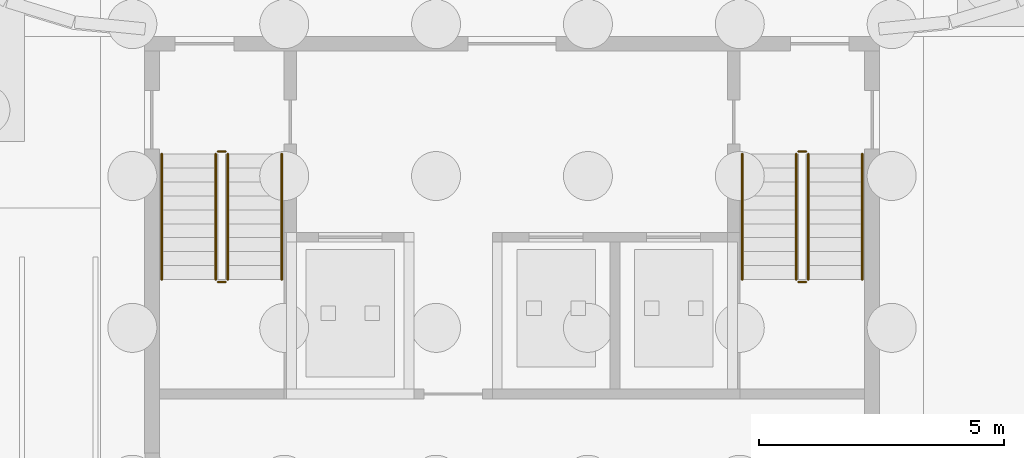
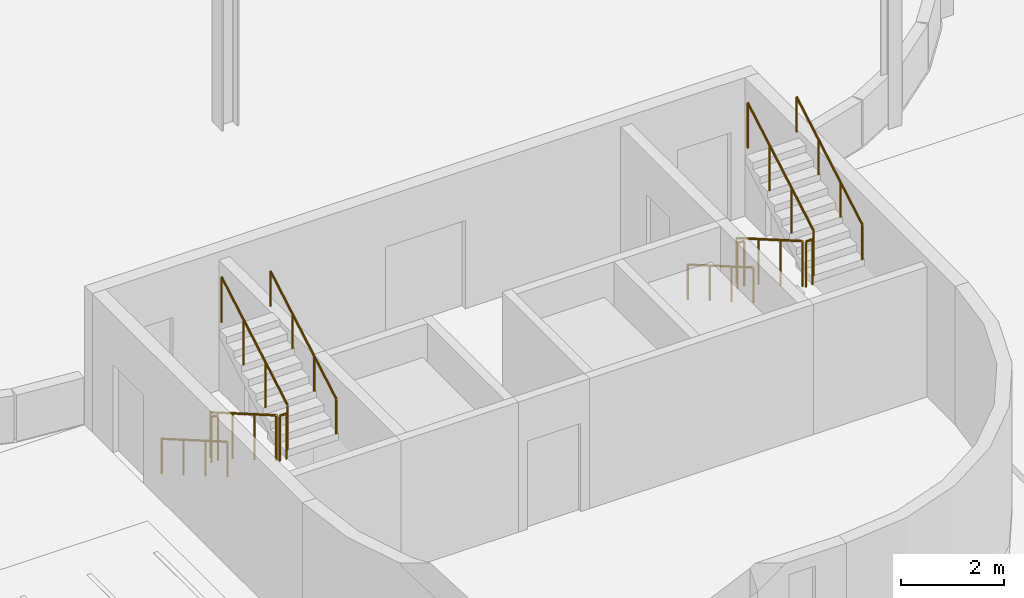
# One storey, part 120 of 130: 12 railings.
"""IFC4 building model written with IfcOpenShell, lengths in metres."""

from ifc_helpers import new_model, si_unit, direction, frame, origin, origin_2d, place, context, subcontext, project, spatial, circle, extrude, material, type_object, element, save


model = new_model("IFC4")

# Units and contexts
model_context = context("Model", 3, precision=1e-05, world=origin(), true_north=direction((0.0, 1.0)))
body_context = subcontext(model_context, "Body", "Model", "MODEL_VIEW")
ifc_project = project(units=[si_unit("LENGTHUNIT", "METRE"), si_unit("AREAUNIT", "SQUARE_METRE"), si_unit("VOLUMEUNIT", "CUBIC_METRE"), si_unit("PLANEANGLEUNIT", "RADIAN"), si_unit("MASSUNIT", "GRAM", prefix="KILO")], contexts=[model_context])

# Site, building, storey
site_placement = place(None, origin())
site = spatial("IfcSite", under=ifc_project, at=site_placement, CompositionType="ELEMENT")
building_placement = place(site_placement, origin())
building = spatial("IfcBuilding", under=site, at=building_placement, Name="Parallax Yard Mobility Hub", CompositionType="ELEMENT")
storey_placement = place(building_placement, origin())
storey = spatial("IfcBuildingStorey", under=building, at=storey_placement, Name="L00", CompositionType="ELEMENT", Elevation=0.0)

# Railings
ifc_material = material(Name="Steel ASTM A36", Category="steel")
railing_type_1 = type_object("IfcRailingType", Name="Stair guard 1100", PredefinedType="GUARDRAIL", material=ifc_material)
railing_1_placement = place(storey_placement, frame((215.800048828125, 20.10009765625, 0.1650390625)))
element("IfcRailing", 1, at=railing_1_placement, inside=storey, type_object=railing_type_1, Name="L00 ST9 stair guard 1", PredefinedType="GUARDRAIL", context=body_context, shape_type="SweptSolid", body=[
    extrude(circle(Radius=0.02392578125, at=origin_2d()), frame((0.0, 0.0, 1.076171875), z_axis=(0.0, -0.865461999751, 0.500974577186), x_axis=(1.0, 0.0, 0.0)), (0.0, 0.0, 1.0), 2.9638671875),
    extrude(circle(Radius=0.02099609375, at=origin_2d()), origin(), (0.0, 0.0, 1.0), 1.052001953125),
    extrude(circle(Radius=0.02099609375, at=origin_2d()), frame((0.0, -0.85498046875, 0.494873046875)), (0.0, 0.0, 1.0), 1.052001953125),
    extrude(circle(Radius=0.02099609375, at=origin_2d()), frame((0.0, -1.710205078125, 0.989990234375)), (0.0, 0.0, 1.0), 1.052001953125),
    extrude(circle(Radius=0.02099609375, at=origin_2d()), frame((0.0, -2.565185546875, 1.48486328125)), (0.0, 0.0, 1.0), 1.052001953125),
])
railing_2_placement = place(storey_placement, frame((215.85009765625, 17.485107421875, 1.64990234375)))
element("IfcRailing", 2, at=railing_2_placement, inside=storey, type_object=railing_type_1, Name="L00 ST9 stair guard 2", PredefinedType="GUARDRAIL", context=body_context, shape_type="SweptSolid", body=[
    extrude(circle(Radius=0.02392578125, at=origin_2d()), frame((0.0, 0.0, 1.076171875), z_axis=(1.0, 0.0, 0.0), x_axis=(0.0, 1.0, 0.0)), (0.0, 0.0, 1.0), 0.14990234375),
    extrude(circle(Radius=0.02099609375, at=origin_2d()), origin(), (0.0, 0.0, 1.0), 1.052001953125),
    extrude(circle(Radius=0.02099609375, at=origin_2d()), frame((0.14990234375, 0.0, 0.0)), (0.0, 0.0, 1.0), 1.052001953125),
])
railing_3_placement = place(storey_placement, frame((216.050048828125, 17.534912109375, 1.81494140625)))
element("IfcRailing", 3, at=railing_3_placement, inside=storey, type_object=railing_type_1, Name="L00 ST9 stair guard 3", PredefinedType="GUARDRAIL", context=body_context, shape_type="SweptSolid", body=[
    extrude(circle(Radius=0.02392578125, at=origin_2d()), frame((0.0, 0.0, 1.076171875), z_axis=(0.0, 0.865426285481, 0.501036270542), x_axis=(-1.0, 0.0, 0.0)), (0.0, 0.0, 1.0), 2.964111328125),
    extrude(circle(Radius=0.02099609375, at=origin_2d()), origin(), (0.0, 0.0, 1.0), 1.052001953125),
    extrude(circle(Radius=0.02099609375, at=origin_2d()), frame((0.0, 0.85498046875, 0.4951171875)), (0.0, 0.0, 1.0), 1.052001953125),
    extrude(circle(Radius=0.02099609375, at=origin_2d()), frame((0.0, 1.710205078125, 0.989990234375)), (0.0, 0.0, 1.0), 1.052001953125),
    extrude(circle(Radius=0.02099609375, at=origin_2d()), frame((0.0, 2.565185546875, 1.485107421875)), (0.0, 0.0, 1.0), 1.052001953125),
])
railing_4_placement = place(storey_placement, frame((215.85009765625, 20.14990234375, 0.0)))
element("IfcRailing", 4, at=railing_4_placement, inside=storey, type_object=railing_type_1, Name="L00 ST9 stair guard 4", PredefinedType="GUARDRAIL", context=body_context, shape_type="SweptSolid", body=[
    extrude(circle(Radius=0.02392578125, at=origin_2d()), frame((0.0, 0.0, 1.076171875), z_axis=(1.0, 0.0, 0.0), x_axis=(0.0, 1.0, 0.0)), (0.0, 0.0, 1.0), 0.14990234375),
    extrude(circle(Radius=0.02099609375, at=origin_2d()), origin(), (0.0, 0.0, 1.0), 1.052001953125),
    extrude(circle(Radius=0.02099609375, at=origin_2d()), frame((0.14990234375, 0.0, 0.0)), (0.0, 0.0, 1.0), 1.052001953125),
])
railing_5_placement = place(storey_placement, frame((203.949951171875, 20.10009765625, 0.1650390625)))
element("IfcRailing", 5, at=railing_5_placement, inside=storey, type_object=railing_type_1, Name="L00 ST10 stair guard 1", PredefinedType="GUARDRAIL", context=body_context, shape_type="SweptSolid", body=[
    extrude(circle(Radius=0.02392578125, at=origin_2d()), frame((0.0, 0.0, 1.076171875), z_axis=(0.0, -0.865461999751, 0.500974577186), x_axis=(1.0, 0.0, 0.0)), (0.0, 0.0, 1.0), 2.9638671875),
    extrude(circle(Radius=0.02099609375, at=origin_2d()), origin(), (0.0, 0.0, 1.0), 1.052001953125),
    extrude(circle(Radius=0.02099609375, at=origin_2d()), frame((0.0, -0.85498046875, 0.494873046875)), (0.0, 0.0, 1.0), 1.052001953125),
    extrude(circle(Radius=0.02099609375, at=origin_2d()), frame((0.0, -1.710205078125, 0.989990234375)), (0.0, 0.0, 1.0), 1.052001953125),
    extrude(circle(Radius=0.02099609375, at=origin_2d()), frame((0.0, -2.565185546875, 1.48486328125)), (0.0, 0.0, 1.0), 1.052001953125),
])
railing_6_placement = place(storey_placement, frame((204.0, 17.485107421875, 1.64990234375)))
element("IfcRailing", 6, at=railing_6_placement, inside=storey, type_object=railing_type_1, Name="L00 ST10 stair guard 2", PredefinedType="GUARDRAIL", context=body_context, shape_type="SweptSolid", body=[
    extrude(circle(Radius=0.02392578125, at=origin_2d()), frame((0.0, 0.0, 1.076171875), z_axis=(1.0, 0.0, 0.0), x_axis=(0.0, 1.0, 0.0)), (0.0, 0.0, 1.0), 0.14990234375),
    extrude(circle(Radius=0.02099609375, at=origin_2d()), origin(), (0.0, 0.0, 1.0), 1.052001953125),
    extrude(circle(Radius=0.02099609375, at=origin_2d()), frame((0.14990234375, 0.0, 0.0)), (0.0, 0.0, 1.0), 1.052001953125),
])
railing_7_placement = place(storey_placement, frame((204.199951171875, 17.534912109375, 1.81494140625)))
element("IfcRailing", 7, at=railing_7_placement, inside=storey, type_object=railing_type_1, Name="L00 ST10 stair guard 3", PredefinedType="GUARDRAIL", context=body_context, shape_type="SweptSolid", body=[
    extrude(circle(Radius=0.02392578125, at=origin_2d()), frame((0.0, 0.0, 1.076171875), z_axis=(0.0, 0.865426285481, 0.501036270542), x_axis=(-1.0, 0.0, 0.0)), (0.0, 0.0, 1.0), 2.964111328125),
    extrude(circle(Radius=0.02099609375, at=origin_2d()), origin(), (0.0, 0.0, 1.0), 1.052001953125),
    extrude(circle(Radius=0.02099609375, at=origin_2d()), frame((0.0, 0.85498046875, 0.4951171875)), (0.0, 0.0, 1.0), 1.052001953125),
    extrude(circle(Radius=0.02099609375, at=origin_2d()), frame((0.0, 1.710205078125, 0.989990234375)), (0.0, 0.0, 1.0), 1.052001953125),
    extrude(circle(Radius=0.02099609375, at=origin_2d()), frame((0.0, 2.565185546875, 1.485107421875)), (0.0, 0.0, 1.0), 1.052001953125),
])
railing_8_placement = place(storey_placement, frame((204.0, 20.14990234375, 0.0)))
element("IfcRailing", 8, at=railing_8_placement, inside=storey, type_object=railing_type_1, Name="L00 ST10 stair guard 4", PredefinedType="GUARDRAIL", context=body_context, shape_type="SweptSolid", body=[
    extrude(circle(Radius=0.02392578125, at=origin_2d()), frame((0.0, 0.0, 1.076171875), z_axis=(1.0, 0.0, 0.0), x_axis=(0.0, 1.0, 0.0)), (0.0, 0.0, 1.0), 0.14990234375),
    extrude(circle(Radius=0.02099609375, at=origin_2d()), origin(), (0.0, 0.0, 1.0), 1.052001953125),
    extrude(circle(Radius=0.02099609375, at=origin_2d()), frame((0.14990234375, 0.0, 0.0)), (0.0, 0.0, 1.0), 1.052001953125),
])
railing_type_2 = type_object("IfcRailingType", Name="Stair handrail", PredefinedType="HANDRAIL", material=ifc_material)
railing_9_placement = place(storey_placement, frame((214.699951171875, 20.10009765625, 0.1650390625)))
element("IfcRailing", 9, at=railing_9_placement, inside=storey, type_object=railing_type_2, Name="L00 ST9 stair handrail 1", PredefinedType="HANDRAIL", context=body_context, shape_type="SweptSolid", body=[
    extrude(circle(Radius=0.02392578125, at=origin_2d()), frame((0.0, 0.0, 0.8310546875), z_axis=(0.0, -0.865461999751, 0.500974577186), x_axis=(1.0, 0.0, 0.0)), (0.0, 0.0, 1.0), 2.9638671875),
    extrude(circle(Radius=0.02099609375, at=origin_2d()), origin(), (0.0, 0.0, 1.0), 0.806884765625),
    extrude(circle(Radius=0.02099609375, at=origin_2d()), frame((0.0, -0.85498046875, 0.494873046875)), (0.0, 0.0, 1.0), 0.806884765625),
    extrude(circle(Radius=0.02099609375, at=origin_2d()), frame((0.0, -1.710205078125, 0.989990234375)), (0.0, 0.0, 1.0), 0.806884765625),
    extrude(circle(Radius=0.02099609375, at=origin_2d()), frame((0.0, -2.565185546875, 1.48486328125)), (0.0, 0.0, 1.0), 0.806884765625),
])
railing_10_placement = place(storey_placement, frame((217.14990234375, 17.534912109375, 1.81494140625)))
element("IfcRailing", 10, at=railing_10_placement, inside=storey, type_object=railing_type_2, Name="L00 ST9 stair handrail 2", PredefinedType="HANDRAIL", context=body_context, shape_type="SweptSolid", body=[
    extrude(circle(Radius=0.02392578125, at=origin_2d()), frame((0.0, 0.0, 0.8310546875), z_axis=(0.0, 0.865426285481, 0.501036270542), x_axis=(-1.0, 0.0, 0.0)), (0.0, 0.0, 1.0), 2.964111328125),
    extrude(circle(Radius=0.02099609375, at=origin_2d()), origin(), (0.0, 0.0, 1.0), 0.806884765625),
    extrude(circle(Radius=0.02099609375, at=origin_2d()), frame((0.0, 0.85498046875, 0.4951171875)), (0.0, 0.0, 1.0), 0.806884765625),
    extrude(circle(Radius=0.02099609375, at=origin_2d()), frame((0.0, 1.710205078125, 0.989990234375)), (0.0, 0.0, 1.0), 0.806884765625),
    extrude(circle(Radius=0.02099609375, at=origin_2d()), frame((0.0, 2.565185546875, 1.485107421875)), (0.0, 0.0, 1.0), 0.806884765625),
])
railing_11_placement = place(storey_placement, frame((202.85009765625, 20.10009765625, 0.1650390625)))
element("IfcRailing", 11, at=railing_11_placement, inside=storey, type_object=railing_type_2, Name="L00 ST10 stair handrail 1", PredefinedType="HANDRAIL", context=body_context, shape_type="SweptSolid", body=[
    extrude(circle(Radius=0.02392578125, at=origin_2d()), frame((0.0, 0.0, 0.8310546875), z_axis=(0.0, -0.865461999751, 0.500974577186), x_axis=(1.0, 0.0, 0.0)), (0.0, 0.0, 1.0), 2.9638671875),
    extrude(circle(Radius=0.02099609375, at=origin_2d()), origin(), (0.0, 0.0, 1.0), 0.806884765625),
    extrude(circle(Radius=0.02099609375, at=origin_2d()), frame((0.0, -0.85498046875, 0.494873046875)), (0.0, 0.0, 1.0), 0.806884765625),
    extrude(circle(Radius=0.02099609375, at=origin_2d()), frame((0.0, -1.710205078125, 0.989990234375)), (0.0, 0.0, 1.0), 0.806884765625),
    extrude(circle(Radius=0.02099609375, at=origin_2d()), frame((0.0, -2.565185546875, 1.48486328125)), (0.0, 0.0, 1.0), 0.806884765625),
])
railing_12_placement = place(storey_placement, frame((205.300048828125, 17.534912109375, 1.81494140625)))
element("IfcRailing", 12, at=railing_12_placement, inside=storey, type_object=railing_type_2, Name="L00 ST10 stair handrail 2", PredefinedType="HANDRAIL", context=body_context, shape_type="SweptSolid", body=[
    extrude(circle(Radius=0.02392578125, at=origin_2d()), frame((0.0, 0.0, 0.8310546875), z_axis=(0.0, 0.865426285481, 0.501036270542), x_axis=(-1.0, 0.0, 0.0)), (0.0, 0.0, 1.0), 2.964111328125),
    extrude(circle(Radius=0.02099609375, at=origin_2d()), origin(), (0.0, 0.0, 1.0), 0.806884765625),
    extrude(circle(Radius=0.02099609375, at=origin_2d()), frame((0.0, 0.85498046875, 0.4951171875)), (0.0, 0.0, 1.0), 0.806884765625),
    extrude(circle(Radius=0.02099609375, at=origin_2d()), frame((0.0, 1.710205078125, 0.989990234375)), (0.0, 0.0, 1.0), 0.806884765625),
    extrude(circle(Radius=0.02099609375, at=origin_2d()), frame((0.0, 2.565185546875, 1.485107421875)), (0.0, 0.0, 1.0), 0.806884765625),
])

save(model, "model.ifc")
